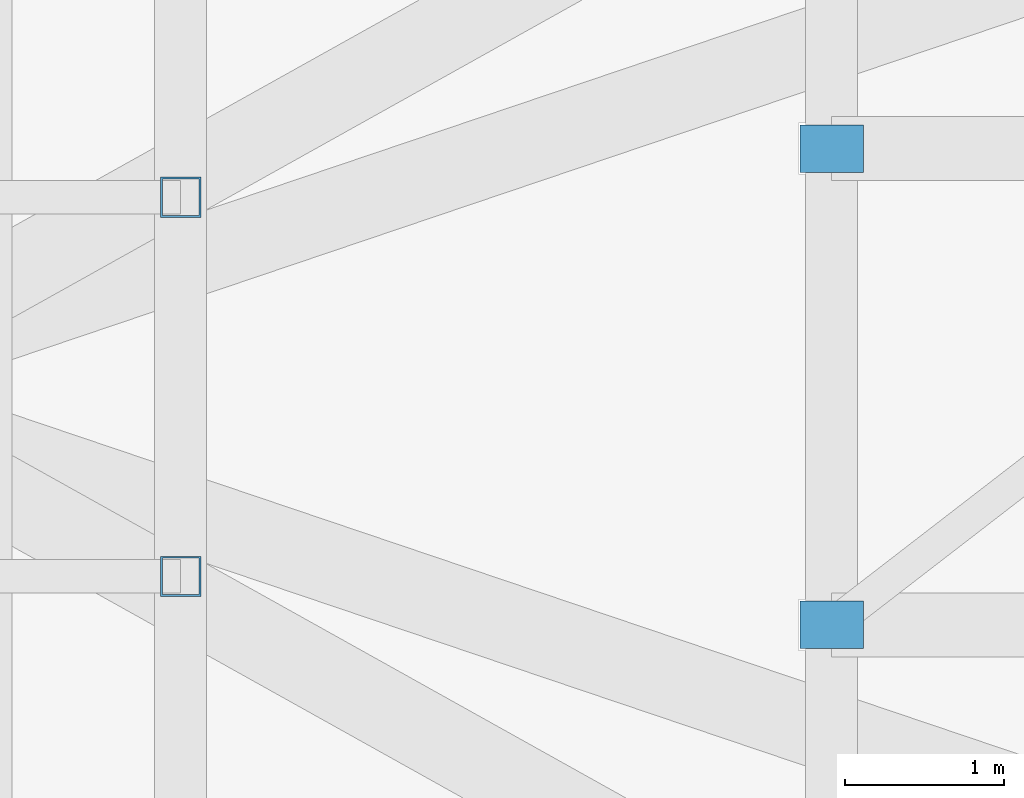
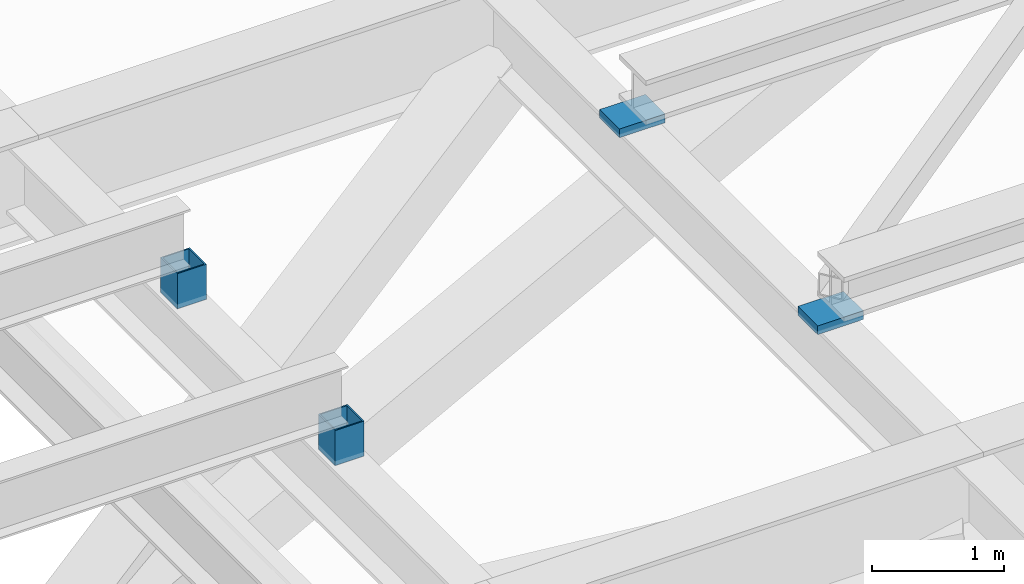
# One storey, part 11 of 26: 4 members.
"""IFC4 building model written with IfcOpenShell, lengths in metres."""

from ifc_helpers import new_model, si_unit, direction, frame, origin, origin_2d, place, context, subcontext, project, spatial, rectangle, hollow_rectangle, extrude, material, material_profile, profile_set, type_object, element, save


model = new_model("IFC4")

# Units and contexts
model_context = context("Model", 3, precision=1e-05, world=origin(), true_north=direction((0.0, 1.0)))
body_context = subcontext(model_context, "Body", "Model", "MODEL_VIEW")
ifc_project = project(units=[si_unit("LENGTHUNIT", "METRE"), si_unit("AREAUNIT", "SQUARE_METRE"), si_unit("VOLUMEUNIT", "CUBIC_METRE"), si_unit("PLANEANGLEUNIT", "RADIAN"), si_unit("MASSUNIT", "GRAM", prefix="KILO")], contexts=[model_context])

# Site, building, storey
site_placement = place(None, origin())
site = spatial("IfcSite", under=ifc_project, at=site_placement, CompositionType="ELEMENT")
building_placement = place(site_placement, origin())
building = spatial("IfcBuilding", under=site, at=building_placement, Name="Iwan Alto Co-Living Towers", CompositionType="ELEMENT")
storey_placement = place(building_placement, frame((0.0, 0.0, 126.0)))
storey = spatial("IfcBuildingStorey", under=building, at=storey_placement, Name="L34", CompositionType="ELEMENT", Elevation=126.0)

# Members
ifc_material_1 = material(Name="Steel ASTM A36", Category="steel")
ifc_material_profile_1 = material_profile(ifc_material_1, rectangle(XDim=0.39990234375, YDim=0.300048828125, at=origin_2d()), Name="BEARING 400X300")
ifc_profile_set_1 = profile_set([ifc_material_profile_1], Name="Steel ASTM A36")
member_type_1 = type_object("IfcMemberType", Name="BRIDGE BEARING", PredefinedType="USERDEFINED", material=ifc_profile_set_1)
for number, where, z_axis, x_axis, name in (
    (1, (32.75, -1.5, 2.517578125), (0.0, 0.0, -1.0), (1.0, 0.0, 0.0), "BR2 sliding bearing T1 S"),
    (2, (32.75, 1.5, 2.517578125), (0.0, 0.0, -1.0), (1.0, 0.0, 0.0), "BR2 sliding bearing T1 N"),
):
    element("IfcMember", number, at=place(storey_placement, frame(where, z_axis=z_axis, x_axis=x_axis)), inside=storey, type_object=member_type_1, Name=name, ObjectType="BEARING", PredefinedType="USERDEFINED", context=body_context, shape_type="SweptSolid", body=[
        extrude(rectangle(XDim=0.39990234375, YDim=0.300048828125, at=origin_2d()), origin(), (0.0, 0.0, 1.0), 0.079833984375),
    ])
ifc_material_2 = material(Name="Steel ASTM A500 Gr C", Category="steel")
ifc_material_profile_2 = material_profile(ifc_material_2, hollow_rectangle(XDim=0.25390625, YDim=0.25390625, WallThickness=0.01171875, at=origin_2d()), Name="HSS10X10X1/2")
ifc_profile_set_2 = profile_set([ifc_material_profile_2], Name="Steel ASTM A500 Gr C")
member_type_2 = type_object("IfcMemberType", Name="BRIDGE POD HANGER HSS10X10X1/2", PredefinedType="POST", material=ifc_profile_set_2)
for number, where, z_axis, x_axis, name in (
    (3, (28.64990234375, -1.194580078125, 2.76171875), (0.0, 0.0, -1.0), (1.0, 0.0, 0.0), "BR2 landing post S"),
    (4, (28.64990234375, 1.194580078125, 2.76171875), (0.0, 0.0, -1.0), (1.0, 0.0, 0.0), "BR2 landing post N"),
):
    element("IfcMember", number, at=place(storey_placement, frame(where, z_axis=z_axis, x_axis=x_axis)), inside=storey, type_object=member_type_2, Name=name, PredefinedType="POST", context=body_context, shape_type="SweptSolid", body=[
        extrude(hollow_rectangle(XDim=0.25390625, YDim=0.25390625, WallThickness=0.01171875, at=origin_2d()), origin(), (0.0, 0.0, 1.0), 0.323974609375),
    ])

save(model, "model.ifc")
